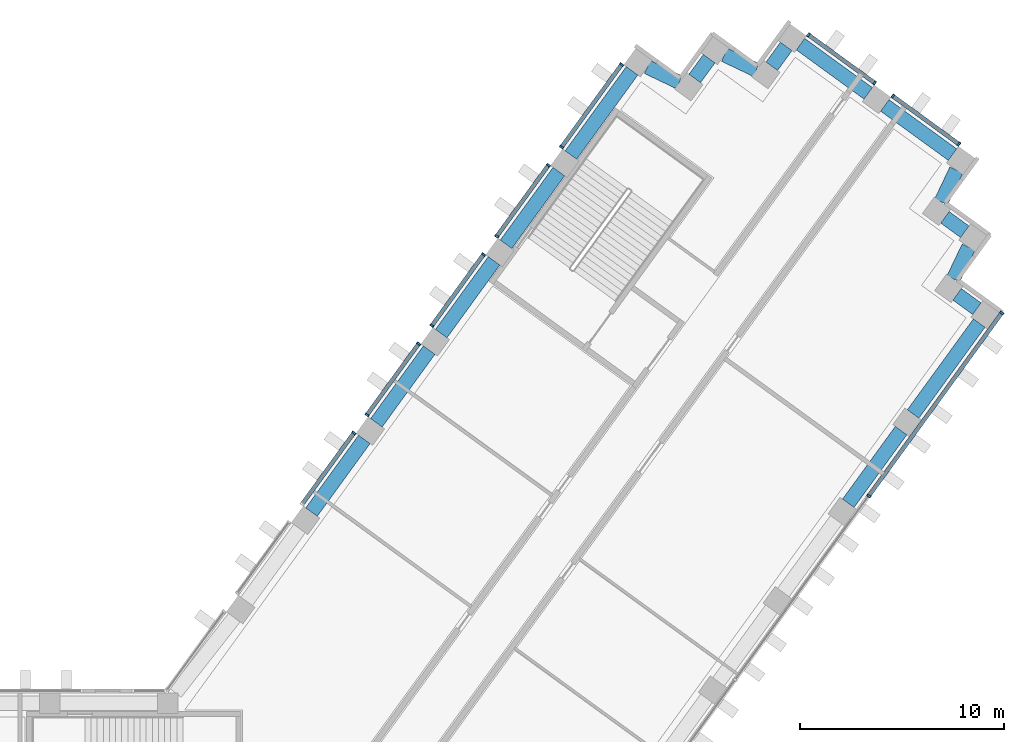
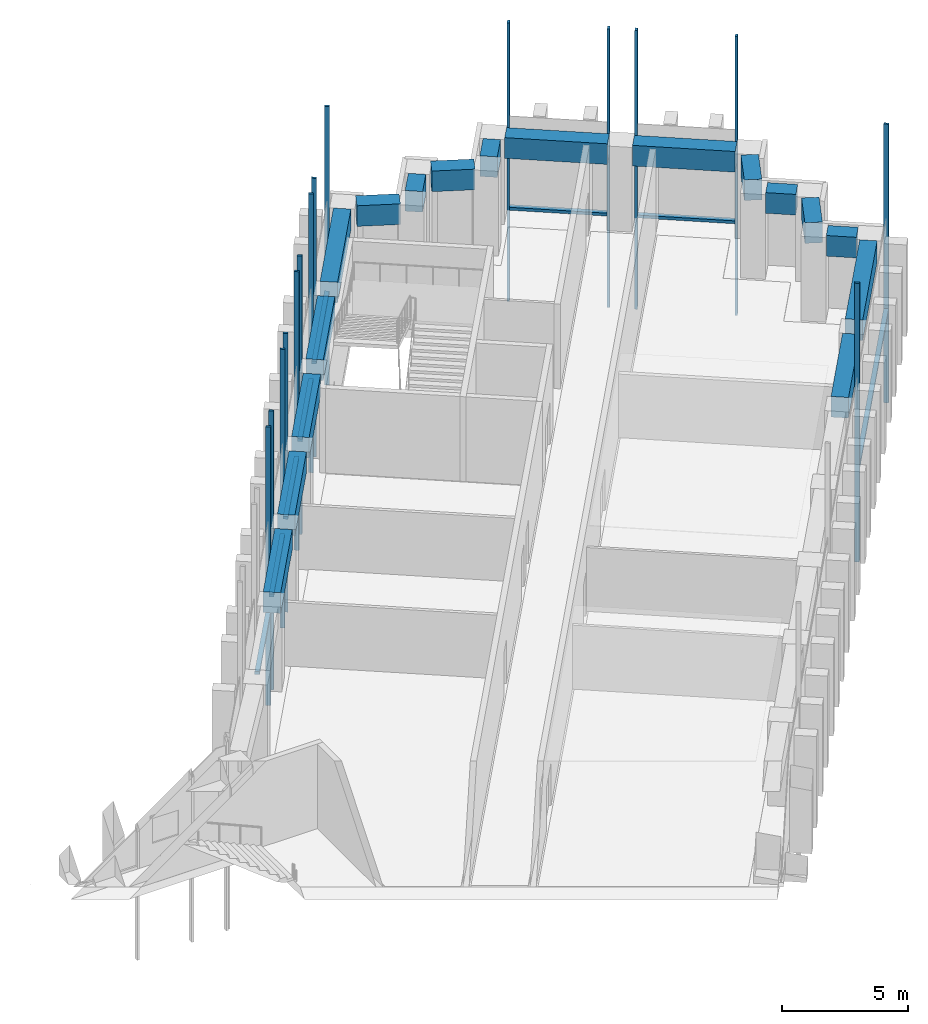
# One storey, part 6 of 18: 23 members, 17 beams, 8 elements without a shape of their own.
"""IFC4 building model written with IfcOpenShell, lengths in metres."""

from ifc_helpers import new_model, si_unit, direction, frame, origin, origin_2d, place, context, subcontext, project, spatial, rectangle, extrude, material, material_profile, profile_set, type_object, element, aggregate, save


model = new_model("IFC4")

# Units and contexts
model_context = context("Model", 3, precision=1e-05, world=origin(), true_north=direction((0.0, 1.0)))
body_context = subcontext(model_context, "Body", "Model", "MODEL_VIEW")
ifc_project = project(units=[si_unit("LENGTHUNIT", "METRE"), si_unit("AREAUNIT", "SQUARE_METRE"), si_unit("VOLUMEUNIT", "CUBIC_METRE"), si_unit("PLANEANGLEUNIT", "RADIAN"), si_unit("MASSUNIT", "GRAM", prefix="KILO")], contexts=[model_context])

# Site, building, storey
site_placement = place(None, origin())
site = spatial("IfcSite", under=ifc_project, at=site_placement, CompositionType="ELEMENT")
building_placement = place(site_placement, origin())
building = spatial("IfcBuilding", under=site, at=building_placement, Name="Quipu Civic Tower", CompositionType="ELEMENT")
storey_placement = place(building_placement, frame((0.0, 0.0, 16.0)))
storey = spatial("IfcBuildingStorey", under=building, at=storey_placement, Name="L03", CompositionType="ELEMENT", Elevation=16.0)

# Curtain wall, members
ifc_material_1 = material(Name="Insulated glass unit", Category="glass")
curtain_wall_type = type_object("IfcCurtainWallType", Name="Public services curtain wall CW3", PredefinedType="NOTDEFINED", material=ifc_material_1)
curtain_wall_1_placement = place(storey_placement, origin())
curtain_wall_1 = element("IfcCurtainWall", 1, at=curtain_wall_1_placement, inside=storey, type_object=curtain_wall_type, Name="Public services curtain wall CW3 L02 run 32", PredefinedType="NOTDEFINED")
ifc_material_2 = material(Name="Anodised aluminium", Category="aluminium")
ifc_material_profile_1 = material_profile(ifc_material_2, rectangle(XDim=0.199951171875, YDim=0.10009765625, at=origin_2d()), Name="RECT 200x100")
ifc_profile_set_1 = profile_set([ifc_material_profile_1], Name="Anodised aluminium")
member_type_1 = type_object("IfcMemberType", Name="Mullion CW3", PredefinedType="MULLION", material=ifc_profile_set_1)
member_1_placement = place(storey_placement, frame((48.717041015625, 20.64111328125, -4.429931640625), z_axis=(0.0, 0.0, 1.0), x_axis=(-0.809016918788, 0.587785356329, 0.0)))
member_1 = element("IfcMember", 2, at=member_1_placement, type_object=member_type_1, Name="CW3 mullion 4", PredefinedType="MULLION", context=body_context, shape_type="SweptSolid", body=[
    extrude(rectangle(XDim=0.199951171875, YDim=0.10009765625, at=origin_2d()), origin(), (0.0, 0.0, 1.0), 13.5),
])
member_2_placement = place(storey_placement, frame((55.224609375, 29.59814453125, -4.429931640625), z_axis=(0.0, 0.0, 1.0), x_axis=(-0.809016918788, 0.587785356329, 0.0)))
member_2 = element("IfcMember", 3, at=member_2_placement, type_object=member_type_1, Name="CW3 mullion 5", PredefinedType="MULLION", context=body_context, shape_type="SweptSolid", body=[
    extrude(rectangle(XDim=0.199951171875, YDim=0.10009765625, at=origin_2d()), origin(), (0.0, 0.0, 1.0), 13.5),
])

curtain_wall_2_placement = place(storey_placement, origin())
curtain_wall_2 = element("IfcCurtainWall", 4, at=curtain_wall_2_placement, inside=storey, type_object=curtain_wall_type, Name="Public services curtain wall CW3 L02 run 37", PredefinedType="NOTDEFINED")
member_3_placement = place(storey_placement, frame((53.12744140625, 37.8583984375, -4.429931640625), z_axis=(0.0, 0.0, 1.0), x_axis=(-0.587788590681, -0.809014568883, 0.0)))
member_3 = element("IfcMember", 5, at=member_3_placement, type_object=member_type_1, Name="CW3 mullion 1", PredefinedType="MULLION", context=body_context, shape_type="SweptSolid", body=[
    extrude(rectangle(XDim=0.199951171875, YDim=0.10009765625, at=origin_2d()), origin(), (0.0, 0.0, 1.0), 13.5),
])
member_4_placement = place(storey_placement, frame((49.89306640625, 40.20849609375, -4.429931640625), z_axis=(0.0, 0.0, 1.0), x_axis=(-0.587788590681, -0.809014568883, 0.0)))
member_4 = element("IfcMember", 6, at=member_4_placement, type_object=member_type_1, Name="CW3 mullion 2", PredefinedType="MULLION", context=body_context, shape_type="SweptSolid", body=[
    extrude(rectangle(XDim=0.199951171875, YDim=0.10009765625, at=origin_2d()), origin(), (0.0, 0.0, 1.0), 13.5),
])

curtain_wall_3_placement = place(storey_placement, origin())
curtain_wall_3 = element("IfcCurtainWall", 7, at=curtain_wall_3_placement, inside=storey, type_object=curtain_wall_type, Name="Public services curtain wall CW3 L02 run 38", PredefinedType="NOTDEFINED")
member_5_placement = place(storey_placement, frame((49.003173828125, 40.85498046875, -4.429931640625), z_axis=(0.0, 0.0, 1.0), x_axis=(-0.587767018974, -0.809030241342, 0.0)))
member_5 = element("IfcMember", 8, at=member_5_placement, type_object=member_type_1, Name="CW3 mullion 1", PredefinedType="MULLION", context=body_context, shape_type="SweptSolid", body=[
    extrude(rectangle(XDim=0.199951171875, YDim=0.10009765625, at=origin_2d()), origin(), (0.0, 0.0, 1.0), 13.5),
])
member_6_placement = place(storey_placement, frame((45.766845703125, 43.206298828125, -4.429931640625), z_axis=(0.0, 0.0, 1.0), x_axis=(-0.587767018974, -0.809030241342, 0.0)))
member_6 = element("IfcMember", 9, at=member_6_placement, type_object=member_type_1, Name="CW3 mullion 2", PredefinedType="MULLION", context=body_context, shape_type="SweptSolid", body=[
    extrude(rectangle(XDim=0.199951171875, YDim=0.10009765625, at=origin_2d()), origin(), (0.0, 0.0, 1.0), 13.5),
])

curtain_wall_4_placement = place(storey_placement, origin())
curtain_wall_4 = element("IfcCurtainWall", 10, at=curtain_wall_4_placement, inside=storey, type_object=curtain_wall_type, Name="Public services curtain wall CW3 L02 run 43", PredefinedType="NOTDEFINED")
member_7_placement = place(storey_placement, frame((36.61767578125, 41.7568359375, -4.429931640625), z_axis=(0.0, 0.0, 1.0), x_axis=(0.809018644949, -0.587782980465, 0.0)))
member_7 = element("IfcMember", 11, at=member_7_placement, type_object=member_type_1, Name="CW3 mullion 1", PredefinedType="MULLION", context=body_context, shape_type="SweptSolid", body=[
    extrude(rectangle(XDim=0.199951171875, YDim=0.10009765625, at=origin_2d()), origin(), (0.0, 0.0, 1.0), 13.5),
])
member_8_placement = place(storey_placement, frame((33.681884765625, 37.716064453125, -4.429931640625), z_axis=(0.0, 0.0, 1.0), x_axis=(0.809018644949, -0.587782980465, 0.0)))
member_8 = element("IfcMember", 12, at=member_8_placement, type_object=member_type_1, Name="CW3 mullion 2", PredefinedType="MULLION", context=body_context, shape_type="SweptSolid", body=[
    extrude(rectangle(XDim=0.199951171875, YDim=0.10009765625, at=origin_2d()), origin(), (0.0, 0.0, 1.0), 13.5),
])

curtain_wall_5_placement = place(storey_placement, origin())
curtain_wall_5 = element("IfcCurtainWall", 13, at=curtain_wall_5_placement, inside=storey, type_object=curtain_wall_type, Name="Public services curtain wall CW3 L02 run 44", PredefinedType="NOTDEFINED")
member_9_placement = place(storey_placement, frame((33.035400390625, 36.825927734375, -4.429931640625), z_axis=(0.0, 0.0, 1.0), x_axis=(0.809014123608, -0.587789203544, 0.0)))
member_9 = element("IfcMember", 14, at=member_9_placement, type_object=member_type_1, Name="CW3 mullion 1", PredefinedType="MULLION", context=body_context, shape_type="SweptSolid", body=[
    extrude(rectangle(XDim=0.199951171875, YDim=0.10009765625, at=origin_2d()), origin(), (0.0, 0.0, 1.0), 13.5),
])
member_10_placement = place(storey_placement, frame((30.5078125, 33.34716796875, -4.429931640625), z_axis=(0.0, 0.0, 1.0), x_axis=(0.809014123608, -0.587789203544, 0.0)))
member_10 = element("IfcMember", 15, at=member_10_placement, type_object=member_type_1, Name="CW3 mullion 2", PredefinedType="MULLION", context=body_context, shape_type="SweptSolid", body=[
    extrude(rectangle(XDim=0.199951171875, YDim=0.10009765625, at=origin_2d()), origin(), (0.0, 0.0, 1.0), 13.5),
])

curtain_wall_6_placement = place(storey_placement, origin())
curtain_wall_6 = element("IfcCurtainWall", 16, at=curtain_wall_6_placement, inside=storey, type_object=curtain_wall_type, Name="Public services curtain wall CW3 L02 run 45", PredefinedType="NOTDEFINED")
member_11_placement = place(storey_placement, frame((29.861328125, 32.457275390625, -4.429931640625), z_axis=(0.0, 0.0, 1.0), x_axis=(0.809017078969, -0.587785135859, 0.0)))
member_11 = element("IfcMember", 17, at=member_11_placement, type_object=member_type_1, Name="CW3 mullion 1", PredefinedType="MULLION", context=body_context, shape_type="SweptSolid", body=[
    extrude(rectangle(XDim=0.199951171875, YDim=0.10009765625, at=origin_2d()), origin(), (0.0, 0.0, 1.0), 13.5),
])
member_12_placement = place(storey_placement, frame((27.333740234375, 28.978759765625, -4.429931640625), z_axis=(0.0, 0.0, 1.0), x_axis=(0.809017078969, -0.587785135859, 0.0)))
member_12 = element("IfcMember", 18, at=member_12_placement, type_object=member_type_1, Name="CW3 mullion 2", PredefinedType="MULLION", context=body_context, shape_type="SweptSolid", body=[
    extrude(rectangle(XDim=0.199951171875, YDim=0.10009765625, at=origin_2d()), origin(), (0.0, 0.0, 1.0), 13.5),
])

curtain_wall_7_placement = place(storey_placement, origin())
curtain_wall_7 = element("IfcCurtainWall", 19, at=curtain_wall_7_placement, inside=storey, type_object=curtain_wall_type, Name="Public services curtain wall CW3 L02 run 46", PredefinedType="NOTDEFINED")
member_13_placement = place(storey_placement, frame((26.687255859375, 28.088623046875, -4.429931640625), z_axis=(0.0, 0.0, 1.0), x_axis=(0.809014123608, -0.587789203544, 0.0)))
member_13 = element("IfcMember", 20, at=member_13_placement, type_object=member_type_1, Name="CW3 mullion 1", PredefinedType="MULLION", context=body_context, shape_type="SweptSolid", body=[
    extrude(rectangle(XDim=0.199951171875, YDim=0.10009765625, at=origin_2d()), origin(), (0.0, 0.0, 1.0), 13.5),
])
member_14_placement = place(storey_placement, frame((24.15966796875, 24.60986328125, -4.429931640625), z_axis=(0.0, 0.0, 1.0), x_axis=(0.809014123608, -0.587789203544, 0.0)))
member_14 = element("IfcMember", 21, at=member_14_placement, type_object=member_type_1, Name="CW3 mullion 2", PredefinedType="MULLION", context=body_context, shape_type="SweptSolid", body=[
    extrude(rectangle(XDim=0.199951171875, YDim=0.10009765625, at=origin_2d()), origin(), (0.0, 0.0, 1.0), 13.5),
])

# Curtain wall, member
curtain_wall_8_placement = place(storey_placement, origin())
curtain_wall_8 = element("IfcCurtainWall", 22, at=curtain_wall_8_placement, inside=storey, type_object=curtain_wall_type, Name="Public services curtain wall CW3 L02 run 47", PredefinedType="NOTDEFINED")
member_15_placement = place(storey_placement, frame((23.51318359375, 23.719970703125, -4.429931640625), z_axis=(0.0, 0.0, 1.0), x_axis=(0.809024930992, -0.587774328321, 0.0)))
member_15 = element("IfcMember", 23, at=member_15_placement, type_object=member_type_1, Name="CW3 mullion 1", PredefinedType="MULLION", context=body_context, shape_type="SweptSolid", body=[
    extrude(rectangle(XDim=0.199951171875, YDim=0.10009765625, at=origin_2d()), origin(), (0.0, 0.0, 1.0), 13.5),
])

# Beams
ifc_material_3 = material(Name="Concrete C50/60", Category="concrete")
ifc_material_profile_2 = material_profile(ifc_material_3, rectangle(XDim=0.699951171875, YDim=1.0, at=origin_2d()), Name="RC700x1000")
ifc_profile_set_2 = profile_set([ifc_material_profile_2], Name="Concrete C50/60")
beam_type = type_object("IfcBeamType", Name="Spandrel beam RC 700x1000 C50/60", PredefinedType="SPANDREL", material=ifc_profile_set_2)
beam_1_placement = place(storey_placement, frame((47.71240234375, 20.279296875, 3.60009765625), z_axis=(0.587759228046, 0.809035901457, 0.0), x_axis=(-0.809035901457, 0.587759228046, 0.0)))
element("IfcBeam", 24, at=beam_1_placement, inside=storey, type_object=beam_type, Name="Spandrel beam L03 E-OUT-06 to E-OUT-07", PredefinedType="SPANDREL", context=body_context, shape_type="SweptSolid", body=[
    extrude(rectangle(XDim=0.699951171875, YDim=1.0, at=origin_2d()), origin(), (0.0, 0.0, 1.0), 4.400146484375),
])
beam_2_placement = place(storey_placement, frame((50.88623046875, 24.64794921875, 3.60009765625), z_axis=(0.587765432916, 0.809031393624, 0.0), x_axis=(-0.809031393624, 0.587765432916, 0.0)))
element("IfcBeam", 25, at=beam_2_placement, inside=storey, type_object=beam_type, Name="Spandrel beam L03 E-OUT-07 to T-Eo.0-E50", PredefinedType="SPANDREL", context=body_context, shape_type="SweptSolid", body=[
    extrude(rectangle(XDim=0.699951171875, YDim=1.0, at=origin_2d()), origin(), (0.0, 0.0, 1.0), 5.503662109375),
])
beam_3_placement = place(storey_placement, frame((54.0107421875, 29.79931640625, 3.60009765625), z_axis=(-0.808630508091, 0.588316837584, 0.0), x_axis=(-0.588316837584, -0.808630508091, 0.0)))
element("IfcBeam", 26, at=beam_3_placement, inside=storey, type_object=beam_type, Name="Spandrel beam L03 T-Eo.0-E50 to T-Eo.1-E50", PredefinedType="SPANDREL", context=body_context, shape_type="SweptSolid", body=[
    extrude(rectangle(XDim=0.699951171875, YDim=1.0, at=origin_2d()), origin(), (0.0, 0.0, 1.0), 1.2001953125),
])
beam_4_placement = place(storey_placement, frame((52.85546875, 31.258056640625, 3.60009765625), z_axis=(0.431370473785, 0.902174880135, 0.0), x_axis=(-0.902174880135, 0.431370473785, 0.0)))
element("IfcBeam", 27, at=beam_4_placement, inside=storey, type_object=beam_type, Name="Spandrel beam L03 T-Eo.1-E50 to T-Eo.2-E50", PredefinedType="SPANDREL", context=body_context, shape_type="SweptSolid", body=[
    extrude(rectangle(XDim=0.699951171875, YDim=1.0, at=origin_2d()), origin(), (0.0, 0.0, 1.0), 1.727294921875),
])
beam_5_placement = place(storey_placement, frame((53.415771484375, 33.569091796875, 3.60009765625), z_axis=(-0.808586856323, 0.588376831446, 0.0), x_axis=(-0.588376831446, -0.808586856323, 0.0)))
element("IfcBeam", 28, at=beam_5_placement, inside=storey, type_object=beam_type, Name="Spandrel beam L03 T-Eo.2-E50 to T-Eo.3-E50", PredefinedType="SPANDREL", context=body_context, shape_type="SweptSolid", body=[
    extrude(rectangle(XDim=0.699951171875, YDim=1.0, at=origin_2d()), origin(), (0.0, 0.0, 1.0), 1.202880859375),
])
beam_6_placement = place(storey_placement, frame((52.257568359375, 35.0302734375, 3.60009765625), z_axis=(0.430185740912, 0.902740399182, 0.0), x_axis=(-0.902740399182, 0.430185740912, 0.0)))
element("IfcBeam", 29, at=beam_6_placement, inside=storey, type_object=beam_type, Name="Spandrel beam L03 T-Eo.3-E50 to T-Eo.4-E50", PredefinedType="SPANDREL", context=body_context, shape_type="SweptSolid", body=[
    extrude(rectangle(XDim=0.699951171875, YDim=1.0, at=origin_2d()), origin(), (0.0, 0.0, 1.0), 1.728759765625),
])
beam_7_placement = place(storey_placement, frame((52.8154296875, 37.343994140625, 3.60009765625), z_axis=(-0.808980758408, 0.587835123589, 0.0), x_axis=(-0.587835123589, -0.808980758408, 0.0)))
element("IfcBeam", 30, at=beam_7_placement, inside=storey, type_object=beam_type, Name="Spandrel beam L03 T-Eo.4-E50 to TIP-E-01-E50", PredefinedType="SPANDREL", context=body_context, shape_type="SweptSolid", body=[
    extrude(rectangle(XDim=0.699951171875, YDim=1.0, at=origin_2d()), origin(), (0.0, 0.0, 1.0), 4.097900390625),
])
beam_8_placement = place(storey_placement, frame((48.69140625, 40.3408203125, 3.60009765625), z_axis=(-0.808983206573, 0.587831754401, 0.0), x_axis=(-0.587831754401, -0.808983206573, 0.0)))
element("IfcBeam", 31, at=beam_8_placement, inside=storey, type_object=beam_type, Name="Spandrel beam L03 TIP-E-01-E50 to T-Ei.0-E50", PredefinedType="SPANDREL", context=body_context, shape_type="SweptSolid", body=[
    extrude(rectangle(XDim=0.699951171875, YDim=1.0, at=origin_2d()), origin(), (0.0, 0.0, 1.0), 4.10009765625),
])
beam_9_placement = place(storey_placement, frame((44.67578125, 42.640625, 3.60009765625), z_axis=(-0.588461629015, -0.808525145667, 0.0), x_axis=(0.808525145667, -0.588461629015, 0.0)))
element("IfcBeam", 32, at=beam_9_placement, inside=storey, type_object=beam_type, Name="Spandrel beam L03 T-Ei.0-E50 to T-Ei.1-E50", PredefinedType="SPANDREL", context=body_context, shape_type="SweptSolid", body=[
    extrude(rectangle(XDim=0.699951171875, YDim=1.0, at=origin_2d()), origin(), (0.0, 0.0, 1.0), 1.201416015625),
])
beam_10_placement = place(storey_placement, frame((43.215576171875, 41.48388671875, 3.60009765625), z_axis=(-0.902651065962, 0.430373155666, 0.0), x_axis=(-0.430373155666, -0.902651065962, 0.0)))
element("IfcBeam", 33, at=beam_10_placement, inside=storey, type_object=beam_type, Name="Spandrel beam L03 T-Ei.1-E50 to T-Ei.2-E50", PredefinedType="SPANDREL", context=body_context, shape_type="SweptSolid", body=[
    extrude(rectangle(XDim=0.699951171875, YDim=1.0, at=origin_2d()), origin(), (0.0, 0.0, 1.0), 1.724609375),
])
beam_11_placement = place(storey_placement, frame((40.90576171875, 42.040771484375, 3.60009765625), z_axis=(-0.588316837584, -0.808630508091, 0.0), x_axis=(0.808630508091, -0.588316837584, 0.0)))
element("IfcBeam", 34, at=beam_11_placement, inside=storey, type_object=beam_type, Name="Spandrel beam L03 T-Ei.2-E50 to T-Ei.3-E50", PredefinedType="SPANDREL", context=body_context, shape_type="SweptSolid", body=[
    extrude(rectangle(XDim=0.699951171875, YDim=1.0, at=origin_2d()), origin(), (0.0, 0.0, 1.0), 1.2001953125),
])
beam_12_placement = place(storey_placement, frame((39.446533203125, 40.885009765625, 3.60009765625), z_axis=(-0.902482283387, 0.43072697637, 0.0), x_axis=(-0.43072697637, -0.902482283387, 0.0)))
element("IfcBeam", 35, at=beam_12_placement, inside=storey, type_object=beam_type, Name="Spandrel beam L03 T-Ei.3-E50 to T-Ei.4-E50", PredefinedType="SPANDREL", context=body_context, shape_type="SweptSolid", body=[
    extrude(rectangle(XDim=0.699951171875, YDim=1.0, at=origin_2d()), origin(), (0.0, 0.0, 1.0), 1.731689453125),
])
beam_13_placement = place(storey_placement, frame((37.131103515625, 41.445556640625, 3.60009765625), z_axis=(-0.587747065363, -0.809044737426, 0.0), x_axis=(0.809044737426, -0.587747065363, 0.0)))
element("IfcBeam", 36, at=beam_13_placement, inside=storey, type_object=beam_type, Name="Spandrel beam L03 T-Ei.4-E50 to E-IN-06", PredefinedType="SPANDREL", context=body_context, shape_type="SweptSolid", body=[
    extrude(rectangle(XDim=0.699951171875, YDim=1.0, at=origin_2d()), origin(), (0.0, 0.0, 1.0), 5.0947265625),
])
for number, where, z_axis, x_axis, name in (
    (37, (33.549072265625, 36.5146484375, 3.60009765625), (-0.587759228046, -0.809035901457, 0.0), (0.809035901457, -0.587759228046, 0.0), "Spandrel beam L03 E-IN-06 to E-IN-05"),
    (38, (30.375244140625, 32.145751953125, 3.60009765625), (-0.587759228046, -0.809035901457, 0.0), (0.809035901457, -0.587759228046, 0.0), "Spandrel beam L03 E-IN-05 to E-IN-04"),
    (39, (27.201416015625, 27.777099609375, 3.60009765625), (-0.587732844487, -0.809055068281, 0.0), (0.809055068281, -0.587732844487, 0.0), "Spandrel beam L03 E-IN-04 to E-IN-03"),
    (40, (24.02734375, 23.408203125, 3.60009765625), (-0.587759228046, -0.809035901457, 0.0), (0.809035901457, -0.587759228046, 0.0), "Spandrel beam L03 E-IN-03 to E-IN-02"),
):
    element("IfcBeam", number, at=place(storey_placement, frame(where, z_axis=z_axis, x_axis=x_axis)), inside=storey, type_object=beam_type, Name=name, PredefinedType="SPANDREL", context=body_context, shape_type="SweptSolid", body=[
        extrude(rectangle(XDim=0.699951171875, YDim=1.0, at=origin_2d()), origin(), (0.0, 0.0, 1.0), 4.400146484375),
    ])

# Member
ifc_material_4 = material(Name="Anodised aluminium", Category="aluminium")
ifc_material_profile_3 = material_profile(ifc_material_4, rectangle(XDim=0.199951171875, YDim=0.139892578125, at=origin_2d()), Name="RECT 200x140")
ifc_profile_set_3 = profile_set([ifc_material_profile_3], Name="Anodised aluminium")
member_type_2 = type_object("IfcMemberType", Name="Transom CW3", PredefinedType="USERDEFINED", material=ifc_profile_set_3)
member_16_placement = place(storey_placement, frame((48.746337890625, 20.681640625, 0.070068359375), z_axis=(0.587797192867, 0.809008318905, 0.0), x_axis=(-0.809008318905, 0.587797192867, 0.0)))
member_16 = element("IfcMember", 41, at=member_16_placement, type_object=member_type_2, Name="CW3 transom 4.2", ObjectType="TRANSOM", PredefinedType="USERDEFINED", context=body_context, shape_type="SweptSolid", body=[
    extrude(rectangle(XDim=0.199951171875, YDim=0.139892578125, at=origin_2d()), origin(), (0.0, 0.0, 1.0), 10.971435546875),
])

aggregate(curtain_wall_1, [member_1, member_2, member_16])

member_17_placement = place(storey_placement, frame((53.087158203125, 37.887939453125, 0.070068359375), z_axis=(-0.809009543625, 0.587795507233, 0.0), x_axis=(-0.587795507233, -0.809009543625, 0.0)))
member_17 = element("IfcMember", 42, at=member_17_placement, type_object=member_type_2, Name="CW3 transom 1.2", ObjectType="TRANSOM", PredefinedType="USERDEFINED", context=body_context, shape_type="SweptSolid", body=[
    extrude(rectangle(XDim=0.199951171875, YDim=0.139892578125, at=origin_2d()), origin(), (0.0, 0.0, 1.0), 3.89794921875),
])

aggregate(curtain_wall_2, [member_3, member_4, member_17])

member_18_placement = place(storey_placement, frame((48.962646484375, 40.884521484375, 0.070068359375), z_axis=(-0.809041868783, 0.587751014083, 0.0), x_axis=(-0.587751014083, -0.809041868783, 0.0)))
member_18 = element("IfcMember", 43, at=member_18_placement, type_object=member_type_2, Name="CW3 transom 1.2", ObjectType="TRANSOM", PredefinedType="USERDEFINED", context=body_context, shape_type="SweptSolid", body=[
    extrude(rectangle(XDim=0.199951171875, YDim=0.139892578125, at=origin_2d()), origin(), (0.0, 0.0, 1.0), 3.89990234375),
])

aggregate(curtain_wall_3, [member_5, member_6, member_18])

member_19_placement = place(storey_placement, frame((36.588134765625, 41.71630859375, 0.070068359375), z_axis=(-0.587792001702, -0.809012090599, 0.0), x_axis=(0.809012090599, -0.587792001702, 0.0)))
member_19 = element("IfcMember", 44, at=member_19_placement, type_object=member_type_2, Name="CW3 transom 1.2", ObjectType="TRANSOM", PredefinedType="USERDEFINED", context=body_context, shape_type="SweptSolid", body=[
    extrude(rectangle(XDim=0.199951171875, YDim=0.139892578125, at=origin_2d()), origin(), (0.0, 0.0, 1.0), 4.89453125),
])

aggregate(curtain_wall_4, [member_7, member_8, member_19])

member_20_placement = place(storey_placement, frame((33.005859375, 36.78564453125, 0.070068359375), z_axis=(-0.587784533062, -0.809017516926, 0.0), x_axis=(0.809017516926, -0.587784533062, 0.0)))
member_20 = element("IfcMember", 45, at=member_20_placement, type_object=member_type_2, Name="CW3 transom 1.2", ObjectType="TRANSOM", PredefinedType="USERDEFINED", context=body_context, shape_type="SweptSolid", body=[
    extrude(rectangle(XDim=0.199951171875, YDim=0.139892578125, at=origin_2d()), origin(), (0.0, 0.0, 1.0), 4.2001953125),
])

aggregate(curtain_wall_5, [member_9, member_10, member_20])

member_21_placement = place(storey_placement, frame((29.831787109375, 32.4169921875, 0.070068359375), z_axis=(-0.587746486169, -0.809045158194, 0.0), x_axis=(0.809045158194, -0.587746486169, 0.0)))
member_21 = element("IfcMember", 46, at=member_21_placement, type_object=member_type_2, Name="CW3 transom 1.2", ObjectType="TRANSOM", PredefinedType="USERDEFINED", context=body_context, shape_type="SweptSolid", body=[
    extrude(rectangle(XDim=0.199951171875, YDim=0.139892578125, at=origin_2d()), origin(), (0.0, 0.0, 1.0), 4.199951171875),
])

aggregate(curtain_wall_6, [member_11, member_12, member_21])

member_22_placement = place(storey_placement, frame((26.65771484375, 28.048095703125, 0.070068359375), z_axis=(-0.587812175236, -0.808997433027, 0.0), x_axis=(0.808997433027, -0.587812175236, 0.0)))
member_22 = element("IfcMember", 47, at=member_22_placement, type_object=member_type_2, Name="CW3 transom 1.2", ObjectType="TRANSOM", PredefinedType="USERDEFINED", context=body_context, shape_type="SweptSolid", body=[
    extrude(rectangle(XDim=0.199951171875, YDim=0.139892578125, at=origin_2d()), origin(), (0.0, 0.0, 1.0), 4.199951171875),
])

aggregate(curtain_wall_7, [member_13, member_14, member_22])

member_23_placement = place(storey_placement, frame((23.483642578125, 23.679443359375, 0.070068359375), z_axis=(-0.587746486169, -0.809045158194, 0.0), x_axis=(0.809045158194, -0.587746486169, 0.0)))
member_23 = element("IfcMember", 48, at=member_23_placement, type_object=member_type_2, Name="CW3 transom 1.2", ObjectType="TRANSOM", PredefinedType="USERDEFINED", context=body_context, shape_type="SweptSolid", body=[
    extrude(rectangle(XDim=0.199951171875, YDim=0.139892578125, at=origin_2d()), origin(), (0.0, 0.0, 1.0), 4.199951171875),
])

aggregate(curtain_wall_8, [member_15, member_23])

save(model, "model.ifc")
